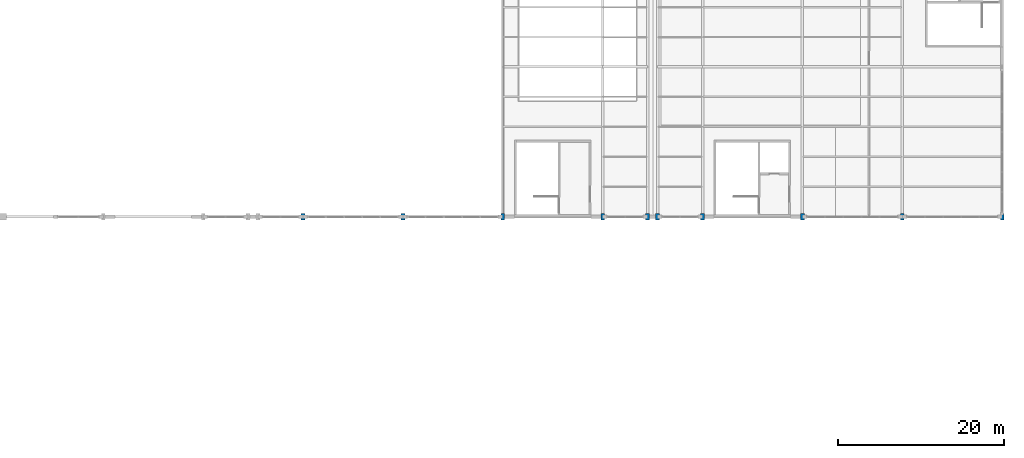
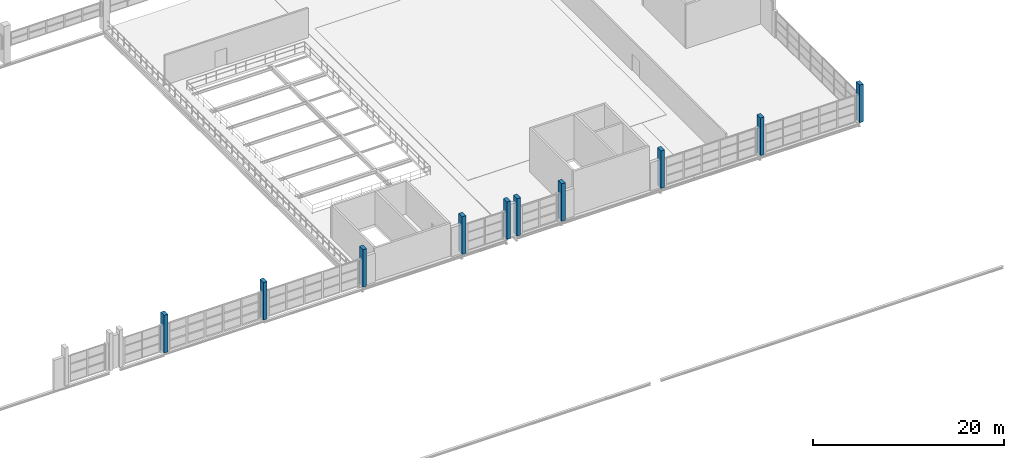
# One storey, part 3 of 86: 10 columns.
"""IFC4 building model written with IfcOpenShell, lengths in metres."""

import ifcopenshell
import ifcopenshell.guid

model = None  # the IFC model being written
_history = None  # IfcOwnerHistory: only IFC2X3 demands one
_inside = {}  # id of a spatial element -> (the spatial element, [elements in it])
_under = {}  # id of a project, library or spatial element -> (it, [spatial elements below it])
_declared = {}  # id of a project -> (the project, [libraries it declares])
_typed = {}  # id of a type object -> (the type object, [elements of that type])
_made_of = {}  # id of a material, layer set ... -> (it, [elements and type objects made of it])


def new_model(schema):
    """Start an empty IFC model of exactly this schema.

    Asked for "IFC4X3", IfcOpenShell would pick the latest addendum, in which some entities
    have other attributes; the version numbers below select the first issue.
    IFC2X3 requires an IfcOwnerHistory on every rooted entity: one is made here for all.
    """
    global model, _history
    if schema == "IFC4X3":
        model = ifcopenshell.file(schema_version=(4, 3, 0, 0))
    else:
        model = ifcopenshell.file(schema=schema)
    _inside.clear()
    _under.clear()
    _declared.clear()
    _typed.clear()
    _made_of.clear()
    _history = None
    if model.schema == "IFC2X3":
        org = make("IfcOrganization", Name="unknown")
        user = make(
            "IfcPersonAndOrganization",
            ThePerson=make("IfcPerson", FamilyName="unknown"),
            TheOrganization=org,
        )
        app = make(
            "IfcApplication",
            ApplicationDeveloper=org,
            Version="unknown",
            ApplicationFullName="unknown",
            ApplicationIdentifier="unknown",
        )
        _history = make(
            "IfcOwnerHistory",
            OwningUser=user,
            OwningApplication=app,
            ChangeAction="ADDED",
            CreationDate=0,
        )
    return model


def make(cls, **values):
    """One entity of the class cls with the attributes given. An attribute that is None is left unset."""
    return model.create_entity(
        cls, **{name: value for name, value in values.items() if value is not None}
    )


def rooted(cls, **values):
    """An entity with a GlobalId (a new one), such as an element, a storey or a relation."""
    return make(cls, GlobalId=ifcopenshell.guid.new(), OwnerHistory=_history, **values)


def si_unit(unit_type, name, prefix=None):
    """IfcSIUnit, for example si_unit("LENGTHUNIT", "METRE", prefix="MILLI")."""
    return make("IfcSIUnit", UnitType=unit_type, Prefix=prefix, Name=name)


def assignment(units):
    """IfcUnitAssignment: the units of a project."""
    return None if units is None else make("IfcUnitAssignment", Units=units)


def point(xyz):
    """IfcCartesianPoint."""
    return None if xyz is None else make("IfcCartesianPoint", Coordinates=xyz)


def direction(xyz):
    """IfcDirection."""
    return None if xyz is None else make("IfcDirection", DirectionRatios=xyz)


def frame(location, z_axis=None, x_axis=None):
    """IfcAxis2Placement3D, a coordinate frame: its origin and axes. An axis left out is left unset."""
    return make(
        "IfcAxis2Placement3D",
        Location=point(location),
        Axis=direction(z_axis),
        RefDirection=direction(x_axis),
    )


def frame_2d(location, x_axis=None):
    """IfcAxis2Placement2D, a coordinate frame in the plane: its origin and x axis."""
    return make(
        "IfcAxis2Placement2D", Location=point(location), RefDirection=direction(x_axis)
    )


def origin():
    """The frame at (0, 0, 0) with its axes left unset."""
    return frame((0.0, 0.0, 0.0))


def origin_2d():
    """The frame at (0, 0) in the plane with its x axis left unset."""
    return frame_2d((0.0, 0.0))


def place(relative_to, where):
    """IfcLocalPlacement: puts the frame where relative to a parent placement (None: the world)."""
    return make(
        "IfcLocalPlacement", PlacementRelTo=relative_to, RelativePlacement=where
    )


def context(
    kind, dimensions, precision=None, world=None, true_north=None, identifier=None
):
    """IfcGeometricRepresentationContext, for example the 3D "Model" context."""
    return make(
        "IfcGeometricRepresentationContext",
        ContextIdentifier=identifier,
        ContextType=kind,
        CoordinateSpaceDimension=dimensions,
        Precision=precision,
        WorldCoordinateSystem=world,
        TrueNorth=true_north,
    )


def subcontext(parent, identifier, kind, view, scale=None):
    """IfcGeometricRepresentationSubContext, for example "Body" below "Model"."""
    return make(
        "IfcGeometricRepresentationSubContext",
        ContextIdentifier=identifier,
        ContextType=kind,
        ParentContext=parent,
        TargetScale=scale,
        TargetView=view,
    )


def project(units=None, contexts=None):
    """IfcProject with its units and contexts."""
    return rooted(
        "IfcProject",
        Name="project",
        RepresentationContexts=contexts,
        UnitsInContext=assignment(units),
    )


def spatial(cls, under=None, at=None, **own):
    """A site, building, storey or space (cls), placed at a placement, below another one or the project."""
    s = rooted(cls, ObjectPlacement=at, **own)
    if under is not None:
        _under.setdefault(under.id(), (under, []))[1].append(s)
    return s


def profile(cls, at=None, kind="AREA", **sizes):
    """A parametric profile (cls). Its sizes go by their IFC names, for example OverallWidth=200.0."""
    return make(cls, ProfileType=kind, Position=at, **sizes)


def rectangle(**sizes):
    """IfcRectangleProfileDef."""
    return profile("IfcRectangleProfileDef", **sizes)


def extrude(swept, where, along, depth):
    """IfcExtrudedAreaSolid: the profile swept, set in the frame where, extruded along a direction by depth."""
    return make(
        "IfcExtrudedAreaSolid",
        SweptArea=swept,
        Position=where,
        ExtrudedDirection=direction(along),
        Depth=depth,
    )


def shape(context_of_items, identifier, shape_type, items):
    """IfcShapeRepresentation: the items that make up one representation, for example the "Body"."""
    return make(
        "IfcShapeRepresentation",
        ContextOfItems=context_of_items,
        RepresentationIdentifier=identifier,
        RepresentationType=shape_type,
        Items=items,
    )


def material(Name=None, Category=None):
    """IfcMaterial."""
    return make("IfcMaterial", Name=Name, Category=Category)


def material_profile(
    of_material, cross_section, Name=None, Category=None, Priority=None
):
    """IfcMaterialProfile: a cross section and its material."""
    return make(
        "IfcMaterialProfile",
        Name=Name,
        Material=of_material,
        Profile=cross_section,
        Priority=Priority,
        Category=Category,
    )


def profile_set(profiles, Name=None, composite=None):
    """IfcMaterialProfileSet."""
    return make(
        "IfcMaterialProfileSet",
        Name=Name,
        MaterialProfiles=profiles,
        CompositeProfile=composite,
    )


def made_of(thing, what):
    """Note that an element or type object is made of a material, layer set ...; save() writes the relation."""
    if what is not None:
        _made_of.setdefault(what.id(), (what, []))[1].append(thing)
    return thing


def type_object(cls, material=None, **own):
    """A type object (cls), such as IfcWallType, which elements share."""
    return made_of(rooted(cls, **own), material)


def element(
    cls,
    number,
    at=None,
    inside=None,
    cuts=None,
    type_object=None,
    material=None,
    context=None,
    identifier="Body",
    shape_type=None,
    held_by="IfcProductDefinitionShape",
    body=None,
    shapes=None,
    **own,
):
    """One element of the class cls, such as IfcWall. Its Tag is "e" and its number.

    at: its placement. inside: the storey or other place that contains it. cuts: it is an
    opening in that element (IfcRelVoidsElement). A single representation is given by context,
    identifier, shape_type and body (its items); several are given by shapes. held_by: the class
    of the entity that holds the representations. save() writes the other relations.
    """
    e = rooted(cls, Tag="e%d" % number, ObjectPlacement=at, **own)
    if body is not None:
        shapes = [shape(context, identifier, shape_type, body)]
    if shapes is not None:
        e.Representation = make(held_by, Representations=shapes)
    if inside is not None:
        _inside.setdefault(inside.id(), (inside, []))[1].append(e)
    if cuts is not None:
        rooted(
            "IfcRelVoidsElement", RelatingBuildingElement=cuts, RelatedOpeningElement=e
        )
    if type_object is not None:
        _typed.setdefault(type_object.id(), (type_object, []))[1].append(e)
    return made_of(e, material)


def aggregate(whole, parts):
    """IfcRelAggregates: a whole, such as a stair, and the parts it consists of."""
    return rooted("IfcRelAggregates", RelatingObject=whole, RelatedObjects=parts)


def save(model, path):
    """Write the relations noted so far, then the file.

    IfcRelAggregates (storeys below a building ...), IfcRelContainedInSpatialStructure (elements
    in a storey), IfcRelDefinesByType, IfcRelAssociatesMaterial and IfcRelDeclares: one each for
    every whole, place, type object, material and project.
    """
    for whole, parts in _under.values():
        aggregate(whole, parts)
    for where, things in _inside.values():
        rooted(
            "IfcRelContainedInSpatialStructure",
            RelatedElements=things,
            RelatingStructure=where,
        )
    for kind, things in _typed.values():
        rooted("IfcRelDefinesByType", RelatedObjects=things, RelatingType=kind)
    for what, things in _made_of.values():
        rooted("IfcRelAssociatesMaterial", RelatedObjects=things, RelatingMaterial=what)
    for by, libraries in _declared.values():
        rooted("IfcRelDeclares", RelatingContext=by, RelatedDefinitions=libraries)
    model.write(path)


model = new_model("IFC4")

# Units and contexts
model_context = context("Model", 3, precision=1e-05, world=origin(), true_north=direction((0.0, 1.0)))
body_context = subcontext(model_context, "Body", "Model", "MODEL_VIEW")
ifc_project = project(units=[si_unit("LENGTHUNIT", "METRE"), si_unit("AREAUNIT", "SQUARE_METRE"), si_unit("VOLUMEUNIT", "CUBIC_METRE"), si_unit("PLANEANGLEUNIT", "RADIAN"), si_unit("MASSUNIT", "GRAM", prefix="KILO")], contexts=[model_context])

# Site, building, storey
site_placement = place(None, origin())
site = spatial("IfcSite", under=ifc_project, at=site_placement, CompositionType="ELEMENT")
building_placement = place(site_placement, origin())
building = spatial("IfcBuilding", under=site, at=building_placement, Name="Zilviju Railside Exhibition Hall", CompositionType="ELEMENT")
storey_placement = place(building_placement, frame((0.0, 0.0, 12.60009765625)))
storey = spatial("IfcBuildingStorey", under=building, at=storey_placement, Name="L04", CompositionType="ELEMENT", Elevation=12.60009765625)

# Columns
ifc_material = material(Name="Concrete C40/50", Category="concrete")
ifc_material_profile = material_profile(ifc_material, rectangle(XDim=0.449951171875, YDim=0.75, at=origin_2d()), Name="RC COL 450x750")
ifc_profile_set = profile_set([ifc_material_profile], Name="Concrete C40/50")
column_type = type_object("IfcColumnType", Name="PIL-RC-750x450", PredefinedType="PILASTER", material=ifc_profile_set)
for number, where, z_axis, x_axis, name in (
    (1, (132.0, 84.0, 0.0), (0.0, 0.0, 1.0), (1.0, 0.0, 0.0), "Structural Column L04 (132.0, 84.0)"),
    (2, (144.0, 84.0, 0.0), (0.0, 0.0, 1.0), (1.0, 0.0, 0.0), "Structural Column L04 (144.0, 84.0)"),
    (3, (156.0, 84.0, 0.0), (0.0, 0.0, 1.0), (1.0, 0.0, 0.0), "Structural Column L04 (156.0, 84.0)"),
    (4, (168.0, 84.0, 0.0), (0.0, 0.0, 1.0), (1.0, 0.0, 0.0), "Structural Column L04 (168.0, 84.0)"),
    (5, (173.39990234375, 84.0, 0.0), (0.0, 0.0, 1.0), (1.0, 0.0, 0.0), "Structural Column L04 (173.4, 84.0)"),
    (6, (174.60009765625, 84.0, 0.0), (0.0, 0.0, 1.0), (1.0, 0.0, 0.0), "Structural Column L04 (174.6, 84.0)"),
    (7, (180.0, 84.0, 0.0), (0.0, 0.0, 1.0), (1.0, 0.0, 0.0), "Structural Column L04 (180.0, 84.0)"),
    (8, (192.0, 84.0, 0.0), (0.0, 0.0, 1.0), (1.0, 0.0, 0.0), "Structural Column L04 (192.0, 84.0)"),
    (9, (204.0, 84.0, 0.0), (0.0, 0.0, 1.0), (1.0, 0.0, 0.0), "Structural Column L04 (204.0, 84.0)"),
    (10, (216.0, 84.0, 0.0), (0.0, 0.0, 1.0), (1.0, 0.0, 0.0), "Structural Column L04 (216.0, 84.0)"),
):
    element("IfcColumn", number, at=place(storey_placement, frame(where, z_axis=z_axis, x_axis=x_axis)), inside=storey, type_object=column_type, Name=name, PredefinedType="PILASTER", context=body_context, shape_type="SweptSolid", body=[
        extrude(rectangle(XDim=0.449951171875, YDim=0.75, at=origin_2d()), origin(), (0.0, 0.0, 1.0), 4.7998046875),
    ])

save(model, "model.ifc")
